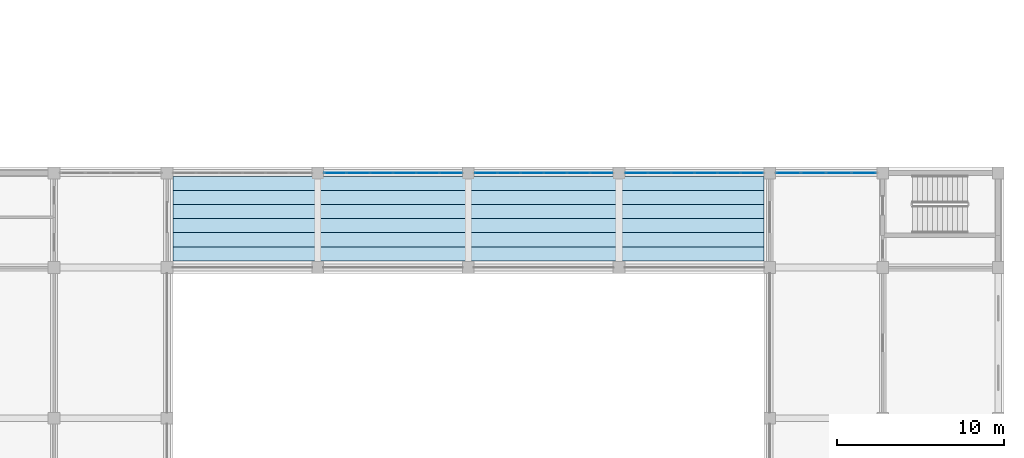
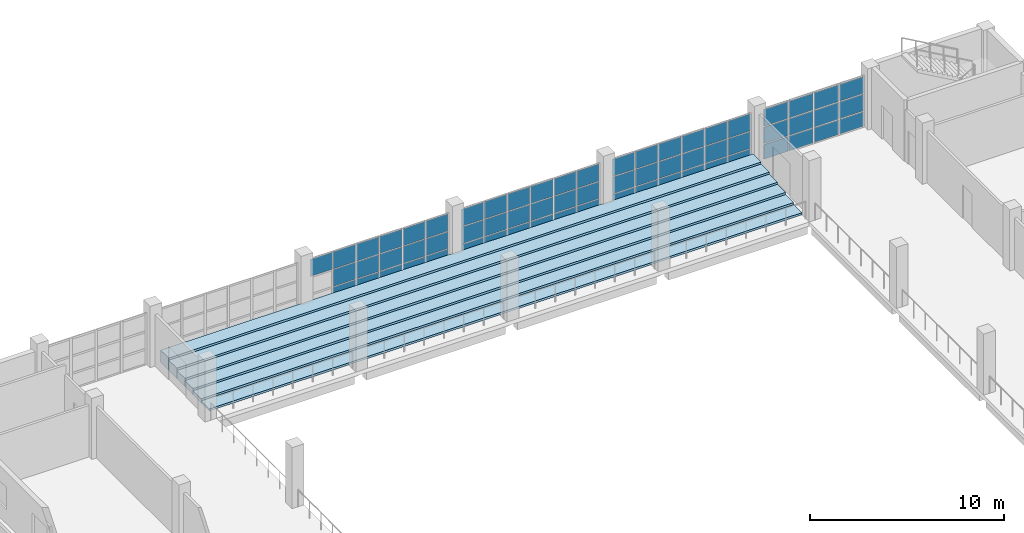
# One storey, part 15 of 36: 64 plates, 6 slabs, 4 elements without a shape of their own.
"""IFC4 building model written with IfcOpenShell, lengths in metres."""

from ifc_helpers import new_model, si_unit, direction, frame, origin, origin_2d, place, context, subcontext, project, spatial, polyline, rectangle, outline, extrude, material, layer, layer_set, type_object, element, aggregate, save


model = new_model("IFC4")

# Units and contexts
model_context = context("Model", 3, precision=1e-05, world=origin(), true_north=direction((0.0, 1.0)))
body_context = subcontext(model_context, "Body", "Model", "MODEL_VIEW")
ifc_project = project(units=[si_unit("LENGTHUNIT", "METRE"), si_unit("AREAUNIT", "SQUARE_METRE"), si_unit("VOLUMEUNIT", "CUBIC_METRE"), si_unit("PLANEANGLEUNIT", "RADIAN"), si_unit("MASSUNIT", "GRAM", prefix="KILO")], contexts=[model_context])

# Site, building, storey
site_placement = place(None, origin())
site = spatial("IfcSite", under=ifc_project, at=site_placement, CompositionType="ELEMENT")
building_placement = place(site_placement, origin())
building = spatial("IfcBuilding", under=site, at=building_placement, Name="Corbel Stack Research Tower", CompositionType="ELEMENT")
storey_placement = place(building_placement, frame((0.0, 0.0, 7.199951171875)))
storey = spatial("IfcBuildingStorey", under=building, at=storey_placement, Name="L01", CompositionType="ELEMENT", Elevation=7.199951171875)

# Curtain wall, plates
ifc_material_1 = material(Name="Aluminium", Category="aluminium")
ifc_layer_1 = layer(ifc_material_1, 0.14990234375)
ifc_layer_set_1 = layer_set([ifc_layer_1], Name="Aluminium")
curtain_wall_type_1 = type_object("IfcCurtainWallType", Name="CW5 main facade curtain wall", PredefinedType="NOTDEFINED", material=ifc_layer_set_1)
curtain_wall_1_placement = place(storey_placement, origin())
curtain_wall_1 = element("IfcCurtainWall", 1, at=curtain_wall_1_placement, inside=storey, type_object=curtain_wall_type_1, Name="Main facade curtain wall L01 4", PredefinedType="NOTDEFINED")
ifc_material_2 = material(Name="Glass", Category="glass")
ifc_layer_2 = layer(ifc_material_2, 0.028076171875)
ifc_layer_set_2 = layer_set([ifc_layer_2], Name="Glass")
plate_type_1 = type_object("IfcPlateType", Name="CW5 glass panel 28", PredefinedType="CURTAIN_PANEL", material=ifc_layer_set_2)
plate_1_placement = place(storey_placement, frame((88.0712890625, 23.64990234375, 0.06005859375), z_axis=(0.0, 0.0, 1.0), x_axis=(1.0, 0.0, 0.0)))
plate_1 = element("IfcPlate", 2, at=plate_1_placement, type_object=plate_type_1, Name="CW5 panel 1.1", PredefinedType="CURTAIN_PANEL", context=body_context, shape_type="SweptSolid", body=[
    extrude(rectangle(XDim=1.422607421875, YDim=0.028076171875, at=origin_2d()), origin(), (0.0, 0.0, 1.0), 0.909912109375),
])
plate_2_placement = place(storey_placement, frame((88.0712890625, 23.64990234375, 1.030029296875), z_axis=(0.0, 0.0, 1.0), x_axis=(1.0, 0.0, 0.0)))
plate_2 = element("IfcPlate", 3, at=plate_2_placement, type_object=plate_type_1, Name="CW5 panel 1.2", PredefinedType="CURTAIN_PANEL", context=body_context, shape_type="SweptSolid", body=[
    extrude(rectangle(XDim=1.422607421875, YDim=0.028076171875, at=origin_2d()), origin(), (0.0, 0.0, 1.0), 1.0400390625),
])
plate_3_placement = place(storey_placement, frame((88.0712890625, 23.64990234375, 2.130126953125), z_axis=(0.0, 0.0, 1.0), x_axis=(1.0, 0.0, 0.0)))
plate_3 = element("IfcPlate", 4, at=plate_3_placement, type_object=plate_type_1, Name="CW5 panel 1.3", PredefinedType="CURTAIN_PANEL", context=body_context, shape_type="SweptSolid", body=[
    extrude(rectangle(XDim=1.422607421875, YDim=0.028076171875, at=origin_2d()), origin(), (0.0, 0.0, 1.0), 1.06005859375),
])
plate_4_placement = place(storey_placement, frame((89.56884765625, 23.64990234375, 0.06005859375), z_axis=(0.0, 0.0, 1.0), x_axis=(1.0, 0.0, 0.0)))
plate_4 = element("IfcPlate", 5, at=plate_4_placement, type_object=plate_type_1, Name="CW5 panel 2.1", PredefinedType="CURTAIN_PANEL", context=body_context, shape_type="SweptSolid", body=[
    extrude(rectangle(XDim=1.452392578125, YDim=0.028076171875, at=origin_2d()), origin(), (0.0, 0.0, 1.0), 0.909912109375),
])
plate_5_placement = place(storey_placement, frame((89.56884765625, 23.64990234375, 1.030029296875), z_axis=(0.0, 0.0, 1.0), x_axis=(1.0, 0.0, 0.0)))
plate_5 = element("IfcPlate", 6, at=plate_5_placement, type_object=plate_type_1, Name="CW5 panel 2.2", PredefinedType="CURTAIN_PANEL", context=body_context, shape_type="SweptSolid", body=[
    extrude(rectangle(XDim=1.452392578125, YDim=0.028076171875, at=origin_2d()), origin(), (0.0, 0.0, 1.0), 1.0400390625),
])
plate_6_placement = place(storey_placement, frame((89.56884765625, 23.64990234375, 2.130126953125), z_axis=(0.0, 0.0, 1.0), x_axis=(1.0, 0.0, 0.0)))
plate_6 = element("IfcPlate", 7, at=plate_6_placement, type_object=plate_type_1, Name="CW5 panel 2.3", PredefinedType="CURTAIN_PANEL", context=body_context, shape_type="SweptSolid", body=[
    extrude(rectangle(XDim=1.452392578125, YDim=0.028076171875, at=origin_2d()), origin(), (0.0, 0.0, 1.0), 1.06005859375),
])
plate_7_placement = place(storey_placement, frame((91.081298828125, 23.64990234375, 0.06005859375), z_axis=(0.0, 0.0, 1.0), x_axis=(1.0, 0.0, 0.0)))
plate_7 = element("IfcPlate", 8, at=plate_7_placement, type_object=plate_type_1, Name="CW5 panel 3.1", PredefinedType="CURTAIN_PANEL", context=body_context, shape_type="SweptSolid", body=[
    extrude(rectangle(XDim=1.452392578125, YDim=0.028076171875, at=origin_2d()), origin(), (0.0, 0.0, 1.0), 0.909912109375),
])
plate_8_placement = place(storey_placement, frame((91.081298828125, 23.64990234375, 1.030029296875), z_axis=(0.0, 0.0, 1.0), x_axis=(1.0, 0.0, 0.0)))
plate_8 = element("IfcPlate", 9, at=plate_8_placement, type_object=plate_type_1, Name="CW5 panel 3.2", PredefinedType="CURTAIN_PANEL", context=body_context, shape_type="SweptSolid", body=[
    extrude(rectangle(XDim=1.452392578125, YDim=0.028076171875, at=origin_2d()), origin(), (0.0, 0.0, 1.0), 1.0400390625),
])
plate_9_placement = place(storey_placement, frame((91.081298828125, 23.64990234375, 2.130126953125), z_axis=(0.0, 0.0, 1.0), x_axis=(1.0, 0.0, 0.0)))
plate_9 = element("IfcPlate", 10, at=plate_9_placement, type_object=plate_type_1, Name="CW5 panel 3.3", PredefinedType="CURTAIN_PANEL", context=body_context, shape_type="SweptSolid", body=[
    extrude(rectangle(XDim=1.452392578125, YDim=0.028076171875, at=origin_2d()), origin(), (0.0, 0.0, 1.0), 1.06005859375),
])
plate_10_placement = place(storey_placement, frame((92.578857421875, 23.64990234375, 0.06005859375), z_axis=(0.0, 0.0, 1.0), x_axis=(1.0, 0.0, 0.0)))
plate_10 = element("IfcPlate", 11, at=plate_10_placement, type_object=plate_type_1, Name="CW5 panel 4.1", PredefinedType="CURTAIN_PANEL", context=body_context, shape_type="SweptSolid", body=[
    extrude(rectangle(XDim=1.422607421875, YDim=0.028076171875, at=origin_2d()), origin(), (0.0, 0.0, 1.0), 0.909912109375),
])
plate_11_placement = place(storey_placement, frame((92.578857421875, 23.64990234375, 1.030029296875), z_axis=(0.0, 0.0, 1.0), x_axis=(1.0, 0.0, 0.0)))
plate_11 = element("IfcPlate", 12, at=plate_11_placement, type_object=plate_type_1, Name="CW5 panel 4.2", PredefinedType="CURTAIN_PANEL", context=body_context, shape_type="SweptSolid", body=[
    extrude(rectangle(XDim=1.422607421875, YDim=0.028076171875, at=origin_2d()), origin(), (0.0, 0.0, 1.0), 1.0400390625),
])
plate_12_placement = place(storey_placement, frame((92.578857421875, 23.64990234375, 2.130126953125), z_axis=(0.0, 0.0, 1.0), x_axis=(1.0, 0.0, 0.0)))
plate_12 = element("IfcPlate", 13, at=plate_12_placement, type_object=plate_type_1, Name="CW5 panel 4.3", PredefinedType="CURTAIN_PANEL", context=body_context, shape_type="SweptSolid", body=[
    extrude(rectangle(XDim=1.422607421875, YDim=0.028076171875, at=origin_2d()), origin(), (0.0, 0.0, 1.0), 1.06005859375),
])
aggregate(curtain_wall_1, [plate_1, plate_2, plate_3, plate_4, plate_5, plate_6, plate_7, plate_8, plate_9, plate_10, plate_11, plate_12])

ifc_material_3 = material(Name="Aluminium", Category="aluminium")
ifc_layer_3 = layer(ifc_material_3, 0.139892578125)
ifc_layer_set_3 = layer_set([ifc_layer_3], Name="Aluminium")
curtain_wall_type_2 = type_object("IfcCurtainWallType", Name="CW6 gallery curtain wall", PredefinedType="NOTDEFINED", material=ifc_layer_set_3)
curtain_wall_2_placement = place(storey_placement, origin())
curtain_wall_2 = element("IfcCurtainWall", 14, at=curtain_wall_2_placement, inside=storey, type_object=curtain_wall_type_2, Name="Gallery curtain wall L01 10", PredefinedType="NOTDEFINED")
ifc_material_4 = material(Name="Glass", Category="glass")
ifc_layer_4 = layer(ifc_material_4, 0.02392578125)
ifc_layer_set_4 = layer_set([ifc_layer_4], Name="Glass")
plate_type_2 = type_object("IfcPlateType", Name="CW6 glass panel 24", PredefinedType="CURTAIN_PANEL", material=ifc_layer_set_4)
plate_13_placement = place(storey_placement, frame((61.004150390625, 23.64990234375, 2.125), z_axis=(0.0, 0.0, 1.0), x_axis=(1.0, 0.0, 0.0)))
plate_13 = element("IfcPlate", 15, at=plate_13_placement, type_object=plate_type_2, Name="CW6 panel 1.3", PredefinedType="CURTAIN_PANEL", context=body_context, shape_type="SweptSolid", body=[
    extrude(rectangle(XDim=1.308349609375, YDim=0.02392578125, at=origin_2d()), origin(), (0.0, 0.0, 1.0), 1.074951171875),
])
plate_14_placement = place(storey_placement, frame((62.375, 23.64990234375, 0.0498046875), z_axis=(0.0, 0.0, 1.0), x_axis=(1.0, 0.0, 0.0)))
plate_14 = element("IfcPlate", 16, at=plate_14_placement, type_object=plate_type_2, Name="CW6 panel 2.1", PredefinedType="CURTAIN_PANEL", context=body_context, shape_type="SweptSolid", body=[
    extrude(rectangle(XDim=1.333251953125, YDim=0.02392578125, at=origin_2d()), origin(), (0.0, 0.0, 1.0), 0.925048828125),
])
plate_15_placement = place(storey_placement, frame((62.375, 23.64990234375, 1.02490234375), z_axis=(0.0, 0.0, 1.0), x_axis=(1.0, 0.0, 0.0)))
plate_15 = element("IfcPlate", 17, at=plate_15_placement, type_object=plate_type_2, Name="CW6 panel 2.2", PredefinedType="CURTAIN_PANEL", context=body_context, shape_type="SweptSolid", body=[
    extrude(rectangle(XDim=1.333251953125, YDim=0.02392578125, at=origin_2d()), origin(), (0.0, 0.0, 1.0), 1.050048828125),
])
plate_16_placement = place(storey_placement, frame((62.375, 23.64990234375, 2.125), z_axis=(0.0, 0.0, 1.0), x_axis=(1.0, 0.0, 0.0)))
plate_16 = element("IfcPlate", 18, at=plate_16_placement, type_object=plate_type_2, Name="CW6 panel 2.3", PredefinedType="CURTAIN_PANEL", context=body_context, shape_type="SweptSolid", body=[
    extrude(rectangle(XDim=1.333251953125, YDim=0.02392578125, at=origin_2d()), origin(), (0.0, 0.0, 1.0), 1.074951171875),
])
plate_17_placement = place(storey_placement, frame((63.75830078125, 23.64990234375, 0.0498046875), z_axis=(0.0, 0.0, 1.0), x_axis=(1.0, 0.0, 0.0)))
plate_17 = element("IfcPlate", 19, at=plate_17_placement, type_object=plate_type_2, Name="CW6 panel 3.1", PredefinedType="CURTAIN_PANEL", context=body_context, shape_type="SweptSolid", body=[
    extrude(rectangle(XDim=1.333251953125, YDim=0.02392578125, at=origin_2d()), origin(), (0.0, 0.0, 1.0), 0.925048828125),
])
plate_18_placement = place(storey_placement, frame((63.75830078125, 23.64990234375, 1.02490234375), z_axis=(0.0, 0.0, 1.0), x_axis=(1.0, 0.0, 0.0)))
plate_18 = element("IfcPlate", 20, at=plate_18_placement, type_object=plate_type_2, Name="CW6 panel 3.2", PredefinedType="CURTAIN_PANEL", context=body_context, shape_type="SweptSolid", body=[
    extrude(rectangle(XDim=1.333251953125, YDim=0.02392578125, at=origin_2d()), origin(), (0.0, 0.0, 1.0), 1.050048828125),
])
plate_19_placement = place(storey_placement, frame((63.75830078125, 23.64990234375, 2.125), z_axis=(0.0, 0.0, 1.0), x_axis=(1.0, 0.0, 0.0)))
plate_19 = element("IfcPlate", 21, at=plate_19_placement, type_object=plate_type_2, Name="CW6 panel 3.3", PredefinedType="CURTAIN_PANEL", context=body_context, shape_type="SweptSolid", body=[
    extrude(rectangle(XDim=1.333251953125, YDim=0.02392578125, at=origin_2d()), origin(), (0.0, 0.0, 1.0), 1.074951171875),
])
plate_20_placement = place(storey_placement, frame((65.1416015625, 23.64990234375, 0.0498046875), z_axis=(0.0, 0.0, 1.0), x_axis=(1.0, 0.0, 0.0)))
plate_20 = element("IfcPlate", 22, at=plate_20_placement, type_object=plate_type_2, Name="CW6 panel 4.1", PredefinedType="CURTAIN_PANEL", context=body_context, shape_type="SweptSolid", body=[
    extrude(rectangle(XDim=1.333251953125, YDim=0.02392578125, at=origin_2d()), origin(), (0.0, 0.0, 1.0), 0.925048828125),
])
plate_21_placement = place(storey_placement, frame((65.1416015625, 23.64990234375, 1.02490234375), z_axis=(0.0, 0.0, 1.0), x_axis=(1.0, 0.0, 0.0)))
plate_21 = element("IfcPlate", 23, at=plate_21_placement, type_object=plate_type_2, Name="CW6 panel 4.2", PredefinedType="CURTAIN_PANEL", context=body_context, shape_type="SweptSolid", body=[
    extrude(rectangle(XDim=1.333251953125, YDim=0.02392578125, at=origin_2d()), origin(), (0.0, 0.0, 1.0), 1.050048828125),
])
plate_22_placement = place(storey_placement, frame((65.1416015625, 23.64990234375, 2.125), z_axis=(0.0, 0.0, 1.0), x_axis=(1.0, 0.0, 0.0)))
plate_22 = element("IfcPlate", 24, at=plate_22_placement, type_object=plate_type_2, Name="CW6 panel 4.3", PredefinedType="CURTAIN_PANEL", context=body_context, shape_type="SweptSolid", body=[
    extrude(rectangle(XDim=1.333251953125, YDim=0.02392578125, at=origin_2d()), origin(), (0.0, 0.0, 1.0), 1.074951171875),
])
plate_23_placement = place(storey_placement, frame((66.52490234375, 23.64990234375, 0.0498046875), z_axis=(0.0, 0.0, 1.0), x_axis=(1.0, 0.0, 0.0)))
plate_23 = element("IfcPlate", 25, at=plate_23_placement, type_object=plate_type_2, Name="CW6 panel 5.1", PredefinedType="CURTAIN_PANEL", context=body_context, shape_type="SweptSolid", body=[
    extrude(rectangle(XDim=1.333251953125, YDim=0.02392578125, at=origin_2d()), origin(), (0.0, 0.0, 1.0), 0.925048828125),
])
plate_24_placement = place(storey_placement, frame((66.52490234375, 23.64990234375, 1.02490234375), z_axis=(0.0, 0.0, 1.0), x_axis=(1.0, 0.0, 0.0)))
plate_24 = element("IfcPlate", 26, at=plate_24_placement, type_object=plate_type_2, Name="CW6 panel 5.2", PredefinedType="CURTAIN_PANEL", context=body_context, shape_type="SweptSolid", body=[
    extrude(rectangle(XDim=1.333251953125, YDim=0.02392578125, at=origin_2d()), origin(), (0.0, 0.0, 1.0), 1.050048828125),
])
plate_25_placement = place(storey_placement, frame((66.52490234375, 23.64990234375, 2.125), z_axis=(0.0, 0.0, 1.0), x_axis=(1.0, 0.0, 0.0)))
plate_25 = element("IfcPlate", 27, at=plate_25_placement, type_object=plate_type_2, Name="CW6 panel 5.3", PredefinedType="CURTAIN_PANEL", context=body_context, shape_type="SweptSolid", body=[
    extrude(rectangle(XDim=1.333251953125, YDim=0.02392578125, at=origin_2d()), origin(), (0.0, 0.0, 1.0), 1.074951171875),
])
plate_26_placement = place(storey_placement, frame((67.895751953125, 23.64990234375, 0.0498046875), z_axis=(0.0, 0.0, 1.0), x_axis=(1.0, 0.0, 0.0)))
plate_26 = element("IfcPlate", 28, at=plate_26_placement, type_object=plate_type_2, Name="CW6 panel 6.1", PredefinedType="CURTAIN_PANEL", context=body_context, shape_type="SweptSolid", body=[
    extrude(rectangle(XDim=1.308349609375, YDim=0.02392578125, at=origin_2d()), origin(), (0.0, 0.0, 1.0), 0.925048828125),
])
plate_27_placement = place(storey_placement, frame((67.895751953125, 23.64990234375, 1.02490234375), z_axis=(0.0, 0.0, 1.0), x_axis=(1.0, 0.0, 0.0)))
plate_27 = element("IfcPlate", 29, at=plate_27_placement, type_object=plate_type_2, Name="CW6 panel 6.2", PredefinedType="CURTAIN_PANEL", context=body_context, shape_type="SweptSolid", body=[
    extrude(rectangle(XDim=1.308349609375, YDim=0.02392578125, at=origin_2d()), origin(), (0.0, 0.0, 1.0), 1.050048828125),
])
plate_28_placement = place(storey_placement, frame((67.895751953125, 23.64990234375, 2.125), z_axis=(0.0, 0.0, 1.0), x_axis=(1.0, 0.0, 0.0)))
plate_28 = element("IfcPlate", 30, at=plate_28_placement, type_object=plate_type_2, Name="CW6 panel 6.3", PredefinedType="CURTAIN_PANEL", context=body_context, shape_type="SweptSolid", body=[
    extrude(rectangle(XDim=1.308349609375, YDim=0.02392578125, at=origin_2d()), origin(), (0.0, 0.0, 1.0), 1.074951171875),
])
aggregate(curtain_wall_2, [plate_13, plate_14, plate_15, plate_16, plate_17, plate_18, plate_19, plate_20, plate_21, plate_22, plate_23, plate_24, plate_25, plate_26, plate_27, plate_28])

curtain_wall_3_placement = place(storey_placement, origin())
curtain_wall_3 = element("IfcCurtainWall", 31, at=curtain_wall_3_placement, inside=storey, type_object=curtain_wall_type_2, Name="Gallery curtain wall L01 11", PredefinedType="NOTDEFINED")
plate_29_placement = place(storey_placement, frame((70.004150390625, 23.64990234375, 0.0498046875), z_axis=(0.0, 0.0, 1.0), x_axis=(1.0, 0.0, 0.0)))
plate_29 = element("IfcPlate", 32, at=plate_29_placement, type_object=plate_type_2, Name="CW6 panel 1.1", PredefinedType="CURTAIN_PANEL", context=body_context, shape_type="SweptSolid", body=[
    extrude(rectangle(XDim=1.308349609375, YDim=0.02392578125, at=origin_2d()), origin(), (0.0, 0.0, 1.0), 0.925048828125),
])
plate_30_placement = place(storey_placement, frame((70.004150390625, 23.64990234375, 1.02490234375), z_axis=(0.0, 0.0, 1.0), x_axis=(1.0, 0.0, 0.0)))
plate_30 = element("IfcPlate", 33, at=plate_30_placement, type_object=plate_type_2, Name="CW6 panel 1.2", PredefinedType="CURTAIN_PANEL", context=body_context, shape_type="SweptSolid", body=[
    extrude(rectangle(XDim=1.308349609375, YDim=0.02392578125, at=origin_2d()), origin(), (0.0, 0.0, 1.0), 1.050048828125),
])
plate_31_placement = place(storey_placement, frame((70.004150390625, 23.64990234375, 2.125), z_axis=(0.0, 0.0, 1.0), x_axis=(1.0, 0.0, 0.0)))
plate_31 = element("IfcPlate", 34, at=plate_31_placement, type_object=plate_type_2, Name="CW6 panel 1.3", PredefinedType="CURTAIN_PANEL", context=body_context, shape_type="SweptSolid", body=[
    extrude(rectangle(XDim=1.308349609375, YDim=0.02392578125, at=origin_2d()), origin(), (0.0, 0.0, 1.0), 1.074951171875),
])
plate_32_placement = place(storey_placement, frame((71.375, 23.64990234375, 0.0498046875), z_axis=(0.0, 0.0, 1.0), x_axis=(1.0, 0.0, 0.0)))
plate_32 = element("IfcPlate", 35, at=plate_32_placement, type_object=plate_type_2, Name="CW6 panel 2.1", PredefinedType="CURTAIN_PANEL", context=body_context, shape_type="SweptSolid", body=[
    extrude(rectangle(XDim=1.333251953125, YDim=0.02392578125, at=origin_2d()), origin(), (0.0, 0.0, 1.0), 0.925048828125),
])
plate_33_placement = place(storey_placement, frame((71.375, 23.64990234375, 1.02490234375), z_axis=(0.0, 0.0, 1.0), x_axis=(1.0, 0.0, 0.0)))
plate_33 = element("IfcPlate", 36, at=plate_33_placement, type_object=plate_type_2, Name="CW6 panel 2.2", PredefinedType="CURTAIN_PANEL", context=body_context, shape_type="SweptSolid", body=[
    extrude(rectangle(XDim=1.333251953125, YDim=0.02392578125, at=origin_2d()), origin(), (0.0, 0.0, 1.0), 1.050048828125),
])
plate_34_placement = place(storey_placement, frame((71.375, 23.64990234375, 2.125), z_axis=(0.0, 0.0, 1.0), x_axis=(1.0, 0.0, 0.0)))
plate_34 = element("IfcPlate", 37, at=plate_34_placement, type_object=plate_type_2, Name="CW6 panel 2.3", PredefinedType="CURTAIN_PANEL", context=body_context, shape_type="SweptSolid", body=[
    extrude(rectangle(XDim=1.333251953125, YDim=0.02392578125, at=origin_2d()), origin(), (0.0, 0.0, 1.0), 1.074951171875),
])
plate_35_placement = place(storey_placement, frame((72.75830078125, 23.64990234375, 0.0498046875), z_axis=(0.0, 0.0, 1.0), x_axis=(1.0, 0.0, 0.0)))
plate_35 = element("IfcPlate", 38, at=plate_35_placement, type_object=plate_type_2, Name="CW6 panel 3.1", PredefinedType="CURTAIN_PANEL", context=body_context, shape_type="SweptSolid", body=[
    extrude(rectangle(XDim=1.333251953125, YDim=0.02392578125, at=origin_2d()), origin(), (0.0, 0.0, 1.0), 0.925048828125),
])
plate_36_placement = place(storey_placement, frame((72.75830078125, 23.64990234375, 1.02490234375), z_axis=(0.0, 0.0, 1.0), x_axis=(1.0, 0.0, 0.0)))
plate_36 = element("IfcPlate", 39, at=plate_36_placement, type_object=plate_type_2, Name="CW6 panel 3.2", PredefinedType="CURTAIN_PANEL", context=body_context, shape_type="SweptSolid", body=[
    extrude(rectangle(XDim=1.333251953125, YDim=0.02392578125, at=origin_2d()), origin(), (0.0, 0.0, 1.0), 1.050048828125),
])
plate_37_placement = place(storey_placement, frame((72.75830078125, 23.64990234375, 2.125), z_axis=(0.0, 0.0, 1.0), x_axis=(1.0, 0.0, 0.0)))
plate_37 = element("IfcPlate", 40, at=plate_37_placement, type_object=plate_type_2, Name="CW6 panel 3.3", PredefinedType="CURTAIN_PANEL", context=body_context, shape_type="SweptSolid", body=[
    extrude(rectangle(XDim=1.333251953125, YDim=0.02392578125, at=origin_2d()), origin(), (0.0, 0.0, 1.0), 1.074951171875),
])
plate_38_placement = place(storey_placement, frame((74.1416015625, 23.64990234375, 0.0498046875), z_axis=(0.0, 0.0, 1.0), x_axis=(1.0, 0.0, 0.0)))
plate_38 = element("IfcPlate", 41, at=plate_38_placement, type_object=plate_type_2, Name="CW6 panel 4.1", PredefinedType="CURTAIN_PANEL", context=body_context, shape_type="SweptSolid", body=[
    extrude(rectangle(XDim=1.333251953125, YDim=0.02392578125, at=origin_2d()), origin(), (0.0, 0.0, 1.0), 0.925048828125),
])
plate_39_placement = place(storey_placement, frame((74.1416015625, 23.64990234375, 1.02490234375), z_axis=(0.0, 0.0, 1.0), x_axis=(1.0, 0.0, 0.0)))
plate_39 = element("IfcPlate", 42, at=plate_39_placement, type_object=plate_type_2, Name="CW6 panel 4.2", PredefinedType="CURTAIN_PANEL", context=body_context, shape_type="SweptSolid", body=[
    extrude(rectangle(XDim=1.333251953125, YDim=0.02392578125, at=origin_2d()), origin(), (0.0, 0.0, 1.0), 1.050048828125),
])
plate_40_placement = place(storey_placement, frame((74.1416015625, 23.64990234375, 2.125), z_axis=(0.0, 0.0, 1.0), x_axis=(1.0, 0.0, 0.0)))
plate_40 = element("IfcPlate", 43, at=plate_40_placement, type_object=plate_type_2, Name="CW6 panel 4.3", PredefinedType="CURTAIN_PANEL", context=body_context, shape_type="SweptSolid", body=[
    extrude(rectangle(XDim=1.333251953125, YDim=0.02392578125, at=origin_2d()), origin(), (0.0, 0.0, 1.0), 1.074951171875),
])
plate_41_placement = place(storey_placement, frame((75.52490234375, 23.64990234375, 0.0498046875), z_axis=(0.0, 0.0, 1.0), x_axis=(1.0, 0.0, 0.0)))
plate_41 = element("IfcPlate", 44, at=plate_41_placement, type_object=plate_type_2, Name="CW6 panel 5.1", PredefinedType="CURTAIN_PANEL", context=body_context, shape_type="SweptSolid", body=[
    extrude(rectangle(XDim=1.333251953125, YDim=0.02392578125, at=origin_2d()), origin(), (0.0, 0.0, 1.0), 0.925048828125),
])
plate_42_placement = place(storey_placement, frame((75.52490234375, 23.64990234375, 1.02490234375), z_axis=(0.0, 0.0, 1.0), x_axis=(1.0, 0.0, 0.0)))
plate_42 = element("IfcPlate", 45, at=plate_42_placement, type_object=plate_type_2, Name="CW6 panel 5.2", PredefinedType="CURTAIN_PANEL", context=body_context, shape_type="SweptSolid", body=[
    extrude(rectangle(XDim=1.333251953125, YDim=0.02392578125, at=origin_2d()), origin(), (0.0, 0.0, 1.0), 1.050048828125),
])
plate_43_placement = place(storey_placement, frame((75.52490234375, 23.64990234375, 2.125), z_axis=(0.0, 0.0, 1.0), x_axis=(1.0, 0.0, 0.0)))
plate_43 = element("IfcPlate", 46, at=plate_43_placement, type_object=plate_type_2, Name="CW6 panel 5.3", PredefinedType="CURTAIN_PANEL", context=body_context, shape_type="SweptSolid", body=[
    extrude(rectangle(XDim=1.333251953125, YDim=0.02392578125, at=origin_2d()), origin(), (0.0, 0.0, 1.0), 1.074951171875),
])
plate_44_placement = place(storey_placement, frame((76.895751953125, 23.64990234375, 0.0498046875), z_axis=(0.0, 0.0, 1.0), x_axis=(1.0, 0.0, 0.0)))
plate_44 = element("IfcPlate", 47, at=plate_44_placement, type_object=plate_type_2, Name="CW6 panel 6.1", PredefinedType="CURTAIN_PANEL", context=body_context, shape_type="SweptSolid", body=[
    extrude(rectangle(XDim=1.308349609375, YDim=0.02392578125, at=origin_2d()), origin(), (0.0, 0.0, 1.0), 0.925048828125),
])
plate_45_placement = place(storey_placement, frame((76.895751953125, 23.64990234375, 1.02490234375), z_axis=(0.0, 0.0, 1.0), x_axis=(1.0, 0.0, 0.0)))
plate_45 = element("IfcPlate", 48, at=plate_45_placement, type_object=plate_type_2, Name="CW6 panel 6.2", PredefinedType="CURTAIN_PANEL", context=body_context, shape_type="SweptSolid", body=[
    extrude(rectangle(XDim=1.308349609375, YDim=0.02392578125, at=origin_2d()), origin(), (0.0, 0.0, 1.0), 1.050048828125),
])
plate_46_placement = place(storey_placement, frame((76.895751953125, 23.64990234375, 2.125), z_axis=(0.0, 0.0, 1.0), x_axis=(1.0, 0.0, 0.0)))
plate_46 = element("IfcPlate", 49, at=plate_46_placement, type_object=plate_type_2, Name="CW6 panel 6.3", PredefinedType="CURTAIN_PANEL", context=body_context, shape_type="SweptSolid", body=[
    extrude(rectangle(XDim=1.308349609375, YDim=0.02392578125, at=origin_2d()), origin(), (0.0, 0.0, 1.0), 1.074951171875),
])
aggregate(curtain_wall_3, [plate_29, plate_30, plate_31, plate_32, plate_33, plate_34, plate_35, plate_36, plate_37, plate_38, plate_39, plate_40, plate_41, plate_42, plate_43, plate_44, plate_45, plate_46])

curtain_wall_4_placement = place(storey_placement, origin())
curtain_wall_4 = element("IfcCurtainWall", 50, at=curtain_wall_4_placement, inside=storey, type_object=curtain_wall_type_2, Name="Gallery curtain wall L01 12", PredefinedType="NOTDEFINED")
plate_47_placement = place(storey_placement, frame((79.004150390625, 23.64990234375, 0.0498046875), z_axis=(0.0, 0.0, 1.0), x_axis=(1.0, 0.0, 0.0)))
plate_47 = element("IfcPlate", 51, at=plate_47_placement, type_object=plate_type_2, Name="CW6 panel 1.1", PredefinedType="CURTAIN_PANEL", context=body_context, shape_type="SweptSolid", body=[
    extrude(rectangle(XDim=1.308349609375, YDim=0.02392578125, at=origin_2d()), origin(), (0.0, 0.0, 1.0), 0.925048828125),
])
plate_48_placement = place(storey_placement, frame((79.004150390625, 23.64990234375, 1.02490234375), z_axis=(0.0, 0.0, 1.0), x_axis=(1.0, 0.0, 0.0)))
plate_48 = element("IfcPlate", 52, at=plate_48_placement, type_object=plate_type_2, Name="CW6 panel 1.2", PredefinedType="CURTAIN_PANEL", context=body_context, shape_type="SweptSolid", body=[
    extrude(rectangle(XDim=1.308349609375, YDim=0.02392578125, at=origin_2d()), origin(), (0.0, 0.0, 1.0), 1.050048828125),
])
plate_49_placement = place(storey_placement, frame((79.004150390625, 23.64990234375, 2.125), z_axis=(0.0, 0.0, 1.0), x_axis=(1.0, 0.0, 0.0)))
plate_49 = element("IfcPlate", 53, at=plate_49_placement, type_object=plate_type_2, Name="CW6 panel 1.3", PredefinedType="CURTAIN_PANEL", context=body_context, shape_type="SweptSolid", body=[
    extrude(rectangle(XDim=1.308349609375, YDim=0.02392578125, at=origin_2d()), origin(), (0.0, 0.0, 1.0), 1.074951171875),
])
plate_50_placement = place(storey_placement, frame((80.375, 23.64990234375, 0.0498046875), z_axis=(0.0, 0.0, 1.0), x_axis=(1.0, 0.0, 0.0)))
plate_50 = element("IfcPlate", 54, at=plate_50_placement, type_object=plate_type_2, Name="CW6 panel 2.1", PredefinedType="CURTAIN_PANEL", context=body_context, shape_type="SweptSolid", body=[
    extrude(rectangle(XDim=1.333251953125, YDim=0.02392578125, at=origin_2d()), origin(), (0.0, 0.0, 1.0), 0.925048828125),
])
plate_51_placement = place(storey_placement, frame((80.375, 23.64990234375, 1.02490234375), z_axis=(0.0, 0.0, 1.0), x_axis=(1.0, 0.0, 0.0)))
plate_51 = element("IfcPlate", 55, at=plate_51_placement, type_object=plate_type_2, Name="CW6 panel 2.2", PredefinedType="CURTAIN_PANEL", context=body_context, shape_type="SweptSolid", body=[
    extrude(rectangle(XDim=1.333251953125, YDim=0.02392578125, at=origin_2d()), origin(), (0.0, 0.0, 1.0), 1.050048828125),
])
plate_52_placement = place(storey_placement, frame((80.375, 23.64990234375, 2.125), z_axis=(0.0, 0.0, 1.0), x_axis=(1.0, 0.0, 0.0)))
plate_52 = element("IfcPlate", 56, at=plate_52_placement, type_object=plate_type_2, Name="CW6 panel 2.3", PredefinedType="CURTAIN_PANEL", context=body_context, shape_type="SweptSolid", body=[
    extrude(rectangle(XDim=1.333251953125, YDim=0.02392578125, at=origin_2d()), origin(), (0.0, 0.0, 1.0), 1.074951171875),
])
plate_53_placement = place(storey_placement, frame((81.75830078125, 23.64990234375, 0.0498046875), z_axis=(0.0, 0.0, 1.0), x_axis=(1.0, 0.0, 0.0)))
plate_53 = element("IfcPlate", 57, at=plate_53_placement, type_object=plate_type_2, Name="CW6 panel 3.1", PredefinedType="CURTAIN_PANEL", context=body_context, shape_type="SweptSolid", body=[
    extrude(rectangle(XDim=1.333251953125, YDim=0.02392578125, at=origin_2d()), origin(), (0.0, 0.0, 1.0), 0.925048828125),
])
plate_54_placement = place(storey_placement, frame((81.75830078125, 23.64990234375, 1.02490234375), z_axis=(0.0, 0.0, 1.0), x_axis=(1.0, 0.0, 0.0)))
plate_54 = element("IfcPlate", 58, at=plate_54_placement, type_object=plate_type_2, Name="CW6 panel 3.2", PredefinedType="CURTAIN_PANEL", context=body_context, shape_type="SweptSolid", body=[
    extrude(rectangle(XDim=1.333251953125, YDim=0.02392578125, at=origin_2d()), origin(), (0.0, 0.0, 1.0), 1.050048828125),
])
plate_55_placement = place(storey_placement, frame((81.75830078125, 23.64990234375, 2.125), z_axis=(0.0, 0.0, 1.0), x_axis=(1.0, 0.0, 0.0)))
plate_55 = element("IfcPlate", 59, at=plate_55_placement, type_object=plate_type_2, Name="CW6 panel 3.3", PredefinedType="CURTAIN_PANEL", context=body_context, shape_type="SweptSolid", body=[
    extrude(rectangle(XDim=1.333251953125, YDim=0.02392578125, at=origin_2d()), origin(), (0.0, 0.0, 1.0), 1.074951171875),
])
plate_56_placement = place(storey_placement, frame((83.1416015625, 23.64990234375, 0.0498046875), z_axis=(0.0, 0.0, 1.0), x_axis=(1.0, 0.0, 0.0)))
plate_56 = element("IfcPlate", 60, at=plate_56_placement, type_object=plate_type_2, Name="CW6 panel 4.1", PredefinedType="CURTAIN_PANEL", context=body_context, shape_type="SweptSolid", body=[
    extrude(rectangle(XDim=1.333251953125, YDim=0.02392578125, at=origin_2d()), origin(), (0.0, 0.0, 1.0), 0.925048828125),
])
plate_57_placement = place(storey_placement, frame((83.1416015625, 23.64990234375, 1.02490234375), z_axis=(0.0, 0.0, 1.0), x_axis=(1.0, 0.0, 0.0)))
plate_57 = element("IfcPlate", 61, at=plate_57_placement, type_object=plate_type_2, Name="CW6 panel 4.2", PredefinedType="CURTAIN_PANEL", context=body_context, shape_type="SweptSolid", body=[
    extrude(rectangle(XDim=1.333251953125, YDim=0.02392578125, at=origin_2d()), origin(), (0.0, 0.0, 1.0), 1.050048828125),
])
plate_58_placement = place(storey_placement, frame((83.1416015625, 23.64990234375, 2.125), z_axis=(0.0, 0.0, 1.0), x_axis=(1.0, 0.0, 0.0)))
plate_58 = element("IfcPlate", 62, at=plate_58_placement, type_object=plate_type_2, Name="CW6 panel 4.3", PredefinedType="CURTAIN_PANEL", context=body_context, shape_type="SweptSolid", body=[
    extrude(rectangle(XDim=1.333251953125, YDim=0.02392578125, at=origin_2d()), origin(), (0.0, 0.0, 1.0), 1.074951171875),
])
plate_59_placement = place(storey_placement, frame((84.52490234375, 23.64990234375, 0.0498046875), z_axis=(0.0, 0.0, 1.0), x_axis=(1.0, 0.0, 0.0)))
plate_59 = element("IfcPlate", 63, at=plate_59_placement, type_object=plate_type_2, Name="CW6 panel 5.1", PredefinedType="CURTAIN_PANEL", context=body_context, shape_type="SweptSolid", body=[
    extrude(rectangle(XDim=1.333251953125, YDim=0.02392578125, at=origin_2d()), origin(), (0.0, 0.0, 1.0), 0.925048828125),
])
plate_60_placement = place(storey_placement, frame((84.52490234375, 23.64990234375, 1.02490234375), z_axis=(0.0, 0.0, 1.0), x_axis=(1.0, 0.0, 0.0)))
plate_60 = element("IfcPlate", 64, at=plate_60_placement, type_object=plate_type_2, Name="CW6 panel 5.2", PredefinedType="CURTAIN_PANEL", context=body_context, shape_type="SweptSolid", body=[
    extrude(rectangle(XDim=1.333251953125, YDim=0.02392578125, at=origin_2d()), origin(), (0.0, 0.0, 1.0), 1.050048828125),
])
plate_61_placement = place(storey_placement, frame((84.52490234375, 23.64990234375, 2.125), z_axis=(0.0, 0.0, 1.0), x_axis=(1.0, 0.0, 0.0)))
plate_61 = element("IfcPlate", 65, at=plate_61_placement, type_object=plate_type_2, Name="CW6 panel 5.3", PredefinedType="CURTAIN_PANEL", context=body_context, shape_type="SweptSolid", body=[
    extrude(rectangle(XDim=1.333251953125, YDim=0.02392578125, at=origin_2d()), origin(), (0.0, 0.0, 1.0), 1.074951171875),
])
plate_62_placement = place(storey_placement, frame((85.895751953125, 23.64990234375, 0.0498046875), z_axis=(0.0, 0.0, 1.0), x_axis=(1.0, 0.0, 0.0)))
plate_62 = element("IfcPlate", 66, at=plate_62_placement, type_object=plate_type_2, Name="CW6 panel 6.1", PredefinedType="CURTAIN_PANEL", context=body_context, shape_type="SweptSolid", body=[
    extrude(rectangle(XDim=1.308349609375, YDim=0.02392578125, at=origin_2d()), origin(), (0.0, 0.0, 1.0), 0.925048828125),
])
plate_63_placement = place(storey_placement, frame((85.895751953125, 23.64990234375, 1.02490234375), z_axis=(0.0, 0.0, 1.0), x_axis=(1.0, 0.0, 0.0)))
plate_63 = element("IfcPlate", 67, at=plate_63_placement, type_object=plate_type_2, Name="CW6 panel 6.2", PredefinedType="CURTAIN_PANEL", context=body_context, shape_type="SweptSolid", body=[
    extrude(rectangle(XDim=1.308349609375, YDim=0.02392578125, at=origin_2d()), origin(), (0.0, 0.0, 1.0), 1.050048828125),
])
plate_64_placement = place(storey_placement, frame((85.895751953125, 23.64990234375, 2.125), z_axis=(0.0, 0.0, 1.0), x_axis=(1.0, 0.0, 0.0)))
plate_64 = element("IfcPlate", 68, at=plate_64_placement, type_object=plate_type_2, Name="CW6 panel 6.3", PredefinedType="CURTAIN_PANEL", context=body_context, shape_type="SweptSolid", body=[
    extrude(rectangle(XDim=1.308349609375, YDim=0.02392578125, at=origin_2d()), origin(), (0.0, 0.0, 1.0), 1.074951171875),
])
aggregate(curtain_wall_4, [plate_47, plate_48, plate_49, plate_50, plate_51, plate_52, plate_53, plate_54, plate_55, plate_56, plate_57, plate_58, plate_59, plate_60, plate_61, plate_62, plate_63, plate_64])

# Slabs
ifc_material_5 = material(Name="Concrete C40/50", Category="concrete")
ifc_layer_5 = layer(ifc_material_5, 0.1298828125)
ifc_layer_set_5 = layer_set([ifc_layer_5], Name="Concrete C40/50")
slab_type = type_object("IfcSlabType", Name="HS5 seating tier slab", PredefinedType="FLOOR", material=ifc_layer_set_5)
slab_1_placement = place(storey_placement, origin())
element("IfcSlab", 69, at=slab_1_placement, inside=storey, type_object=slab_type, Name="Seating tier north 1", PredefinedType="FLOOR", context=body_context, shape_type="SweptSolid", body=[
    extrude(outline(polyline([(51.300048828125, 18.39990234375), (86.60009765625, 18.39990234375), (86.60009765625, 19.239990234375), (51.300048828125, 19.239990234375), (51.300048828125, 18.39990234375)])), origin(), (0.0, 0.0, 1.0), 0.130126953125),
])
slab_2_placement = place(storey_placement, origin())
element("IfcSlab", 70, at=slab_2_placement, inside=storey, type_object=slab_type, Name="Seating tier north 2", PredefinedType="FLOOR", context=body_context, shape_type="SweptSolid", body=[
    extrude(outline(polyline([(51.300048828125, 19.239990234375), (86.60009765625, 19.239990234375), (86.60009765625, 20.080078125), (51.300048828125, 20.080078125), (51.300048828125, 19.239990234375)])), origin(), (0.0, 0.0, 1.0), 0.260009765625),
])
slab_3_placement = place(storey_placement, origin())
element("IfcSlab", 71, at=slab_3_placement, inside=storey, type_object=slab_type, Name="Seating tier north 3", PredefinedType="FLOOR", context=body_context, shape_type="SweptSolid", body=[
    extrude(outline(polyline([(51.300048828125, 20.080078125), (86.60009765625, 20.080078125), (86.60009765625, 20.919921875), (51.300048828125, 20.919921875), (51.300048828125, 20.080078125)])), origin(), (0.0, 0.0, 1.0), 0.39013671875),
])
slab_4_placement = place(storey_placement, origin())
element("IfcSlab", 72, at=slab_4_placement, inside=storey, type_object=slab_type, Name="Seating tier north 4", PredefinedType="FLOOR", context=body_context, shape_type="SweptSolid", body=[
    extrude(outline(polyline([(51.300048828125, 20.919921875), (86.60009765625, 20.919921875), (86.60009765625, 21.760009765625), (51.300048828125, 21.760009765625), (51.300048828125, 20.919921875)])), origin(), (0.0, 0.0, 1.0), 0.52001953125),
])
slab_5_placement = place(storey_placement, origin())
element("IfcSlab", 73, at=slab_5_placement, inside=storey, type_object=slab_type, Name="Seating tier north 5", PredefinedType="FLOOR", context=body_context, shape_type="SweptSolid", body=[
    extrude(outline(polyline([(51.300048828125, 21.760009765625), (86.60009765625, 21.760009765625), (86.60009765625, 22.60009765625), (51.300048828125, 22.60009765625), (51.300048828125, 21.760009765625)])), origin(), (0.0, 0.0, 1.0), 0.650146484375),
])
slab_6_placement = place(storey_placement, origin())
element("IfcSlab", 74, at=slab_6_placement, inside=storey, type_object=slab_type, Name="Seating tier north 6", PredefinedType="FLOOR", context=body_context, shape_type="SweptSolid", body=[
    extrude(outline(polyline([(51.300048828125, 22.60009765625), (86.60009765625, 22.60009765625), (86.60009765625, 23.43994140625), (51.300048828125, 23.43994140625), (51.300048828125, 22.60009765625)])), origin(), (0.0, 0.0, 1.0), 0.780029296875),
])

save(model, "model.ifc")
